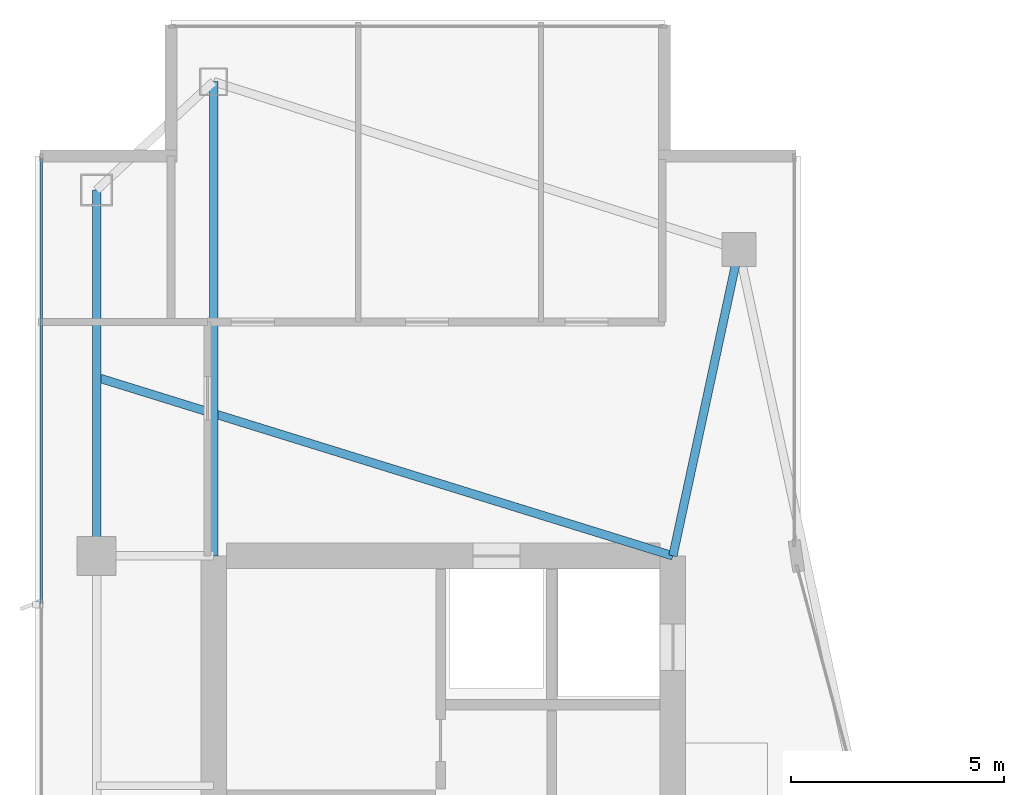
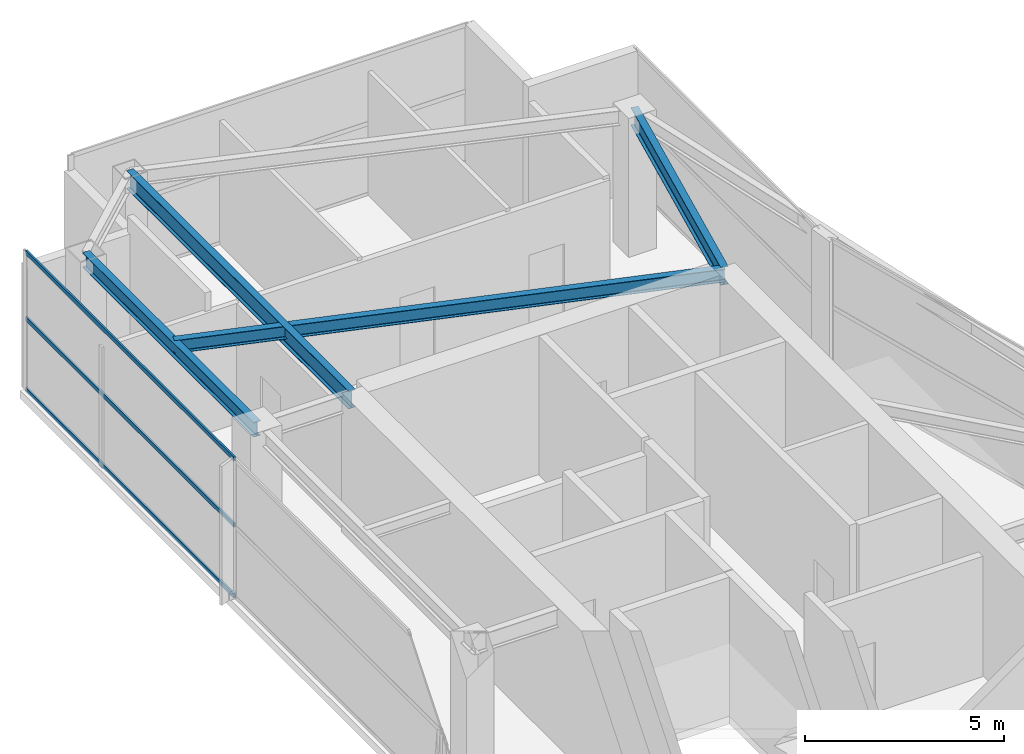
# One storey, part 15 of 25: 4 beams, 3 members, 1 element without a shape of its own.
"""IFC4 building model written with IfcOpenShell, lengths in metres."""

from ifc_helpers import new_model, si_unit, direction, frame, origin, origin_2d, place, context, subcontext, project, spatial, hollow_rectangle, i_section, extrude, material, layer, layer_set, material_profile, profile_set, type_object, element, aggregate, save


model = new_model("IFC4")

# Units and contexts
model_context = context("Model", 3, precision=1e-05, world=origin(), true_north=direction((0.0, 1.0)))
body_context = subcontext(model_context, "Body", "Model", "MODEL_VIEW")
ifc_project = project(units=[si_unit("LENGTHUNIT", "METRE"), si_unit("AREAUNIT", "SQUARE_METRE"), si_unit("VOLUMEUNIT", "CUBIC_METRE"), si_unit("PLANEANGLEUNIT", "RADIAN"), si_unit("MASSUNIT", "GRAM", prefix="KILO")], contexts=[model_context])

# Site, building, storey
site_placement = place(None, origin())
site = spatial("IfcSite", under=ifc_project, at=site_placement, CompositionType="ELEMENT")
building_placement = place(site_placement, origin())
building = spatial("IfcBuilding", under=site, at=building_placement, Name="Calvorn Quay Hotel", CompositionType="ELEMENT")
storey_placement = place(building_placement, frame((0.0, 0.0, 316.0)))
storey = spatial("IfcBuildingStorey", under=building, at=storey_placement, Name="L78", CompositionType="ELEMENT", Elevation=316.0)

# Beams
ifc_material_1 = material(Name="Steel Q355B", Category="steel")
ifc_material_profile_1 = material_profile(ifc_material_1, i_section(OverallWidth=0.199951171875, OverallDepth=0.550048828125, WebThickness=0.010009765625, FlangeThickness=0.01611328125, FilletRadius=0.01806640625, at=origin_2d()), Name="HN550x200x10x16")
ifc_profile_set_1 = profile_set([ifc_material_profile_1], Name="Steel Q355B")
beam_type_1 = type_object("IfcBeamType", Name="BM-GIRD-UPP", PredefinedType="BEAM", material=ifc_profile_set_1)
beam_1_placement = place(storey_placement, frame((4.199951171875, 49.550048828125, 3.965087890625), z_axis=(0.0, -1.0, 0.0), x_axis=(1.0, 0.0, 0.0)))
element("IfcBeam", 1, at=beam_1_placement, inside=storey, type_object=beam_type_1, Name="Beam BG-L78-W5", PredefinedType="BEAM", context=body_context, shape_type="SweptSolid", body=[
    extrude(i_section(OverallWidth=0.199951171875, OverallDepth=0.550048828125, WebThickness=0.010009765625, FlangeThickness=0.01611328125, FilletRadius=0.01806640625, at=origin_2d()), origin(), (0.0, 0.0, 1.0), 11.150146484375),
])
beam_2_placement = place(storey_placement, frame((16.550048828125, 45.60009765625, 3.965087890625), z_axis=(-0.210457140491, -0.97760308511, 0.0), x_axis=(0.97760308511, -0.210457140491, 0.0)))
element("IfcBeam", 2, at=beam_2_placement, inside=storey, type_object=beam_type_1, Name="Beam BG-L78-W6", PredefinedType="BEAM", context=body_context, shape_type="SweptSolid", body=[
    extrude(i_section(OverallWidth=0.199951171875, OverallDepth=0.550048828125, WebThickness=0.010009765625, FlangeThickness=0.01611328125, FilletRadius=0.01806640625, at=origin_2d()), origin(), (0.0, 0.0, 1.0), 7.365234375),
])
ifc_material_2 = material(Name="Steel Q355B", Category="steel")
ifc_material_profile_2 = material_profile(ifc_material_2, i_section(OverallWidth=0.199951171875, OverallDepth=0.39990234375, WebThickness=0.008056640625, FlangeThickness=0.012939453125, FilletRadius=0.01611328125, at=origin_2d()), Name="HN400x200x8x13")
ifc_profile_set_2 = profile_set([ifc_material_profile_2], Name="Steel Q355B")
beam_type_2 = type_object("IfcBeamType", Name="BM-JOIST-TYP", PredefinedType="JOIST", material=ifc_profile_set_2)
beam_3_placement = place(storey_placement, frame((1.449951171875, 42.60009765625, 4.0400390625), z_axis=(0.955163702122, -0.296078202759, 0.0), x_axis=(0.296078202759, 0.955163702122, 0.0)))
element("IfcBeam", 3, at=beam_3_placement, inside=storey, type_object=beam_type_2, Name="Beam BJ-L78-W2", PredefinedType="JOIST", context=body_context, shape_type="SweptSolid", body=[
    extrude(i_section(OverallWidth=0.199951171875, OverallDepth=0.39990234375, WebThickness=0.008056640625, FlangeThickness=0.012939453125, FilletRadius=0.01611328125, at=origin_2d()), origin(), (0.0, 0.0, 1.0), 14.18603515625),
])
ifc_material_3 = material(Name="Steel Q355B", Category="steel")
ifc_material_profile_3 = material_profile(ifc_material_3, i_section(OverallWidth=0.199951171875, OverallDepth=0.449951171875, WebThickness=0.009033203125, FlangeThickness=0.013916015625, FilletRadius=0.01611328125, at=origin_2d()), Name="HN450x200x9x14")
ifc_profile_set_3 = profile_set([ifc_material_profile_3], Name="Steel Q355B")
beam_type_3 = type_object("IfcBeamType", Name="BM-SPANDREL-Z3", PredefinedType="SPANDREL", material=ifc_profile_set_3)
beam_4_placement = place(storey_placement, frame((1.449951171875, 38.39990234375, 4.014892578125), z_axis=(0.0, 1.0, 0.0), x_axis=(-1.0, 0.0, 0.0)))
element("IfcBeam", 4, at=beam_4_placement, inside=storey, type_object=beam_type_3, Name="Beam BSP-L78-W4", PredefinedType="SPANDREL", context=body_context, shape_type="SweptSolid", body=[
    extrude(i_section(OverallWidth=0.199951171875, OverallDepth=0.449951171875, WebThickness=0.009033203125, FlangeThickness=0.013916015625, FilletRadius=0.01611328125, at=origin_2d()), origin(), (0.0, 0.0, 1.0), 8.60009765625),
])

# Curtain wall, members
ifc_material_4 = material(Name="Champagne Bronze Anodised Aluminium and Low-E Glass", Category="aluminium")
ifc_layer = layer(ifc_material_4, 0.219970703125)
ifc_layer_set = layer_set([ifc_layer], Name="CW-SYS-Z4")
curtain_wall_type = type_object("IfcCurtainWallType", Name="CW-SYS-Z4", PredefinedType="NOTDEFINED", material=ifc_layer_set)
curtain_wall_placement = place(storey_placement, origin())
curtain_wall = element("IfcCurtainWall", 5, at=curtain_wall_placement, inside=storey, type_object=curtain_wall_type, Name="Tower West Curtain Wall (L78)", PredefinedType="NOTDEFINED")
ifc_material_5 = material(Name="Champagne Bronze Anodised Aluminium 6063-T6", Category="aluminium")
ifc_material_profile_4 = material_profile(ifc_material_5, hollow_rectangle(XDim=0.054931640625, YDim=0.1298828125, WallThickness=0.003173828125, at=origin_2d()), Name="ALU-T130x55x3.2")
ifc_profile_set_4 = profile_set([ifc_material_profile_4], Name="Champagne Bronze Anodised Aluminium 6063-T6")
member_type = type_object("IfcMemberType", Name="CW-SYS-Z4-TRN", PredefinedType="USERDEFINED", material=ifc_profile_set_4)
member_1_placement = place(storey_placement, frame((0.14990234375, 37.280029296875, 0.030029296875), z_axis=(0.0, 1.0, 0.0), x_axis=(-1.0, 0.0, 0.0)))
member_1 = element("IfcMember", 6, at=member_1_placement, type_object=member_type, Name="CW-L78-W transom 4.1", ObjectType="TRANSOM", PredefinedType="USERDEFINED", context=body_context, shape_type="SweptSolid", body=[
    extrude(hollow_rectangle(XDim=0.054931640625, YDim=0.1298828125, WallThickness=0.003173828125, at=origin_2d()), origin(), (0.0, 0.0, 1.0), 10.4599609375),
])
member_2_placement = place(storey_placement, frame((0.14990234375, 37.280029296875, 2.199951171875), z_axis=(0.0, 1.0, 0.0), x_axis=(-1.0, 0.0, 0.0)))
member_2 = element("IfcMember", 7, at=member_2_placement, type_object=member_type, Name="CW-L78-W transom 4.2", ObjectType="TRANSOM", PredefinedType="USERDEFINED", context=body_context, shape_type="SweptSolid", body=[
    extrude(hollow_rectangle(XDim=0.054931640625, YDim=0.1298828125, WallThickness=0.003173828125, at=origin_2d()), origin(), (0.0, 0.0, 1.0), 10.4599609375),
])
member_3_placement = place(storey_placement, frame((0.14990234375, 37.280029296875, 4.22998046875), z_axis=(0.0, 1.0, 0.0), x_axis=(-1.0, 0.0, 0.0)))
member_3 = element("IfcMember", 8, at=member_3_placement, type_object=member_type, Name="CW-L78-W transom 4.3", ObjectType="TRANSOM", PredefinedType="USERDEFINED", context=body_context, shape_type="SweptSolid", body=[
    extrude(hollow_rectangle(XDim=0.054931640625, YDim=0.1298828125, WallThickness=0.003173828125, at=origin_2d()), origin(), (0.0, 0.0, 1.0), 10.4599609375),
])
aggregate(curtain_wall, [member_1, member_2, member_3])

save(model, "model.ifc")
